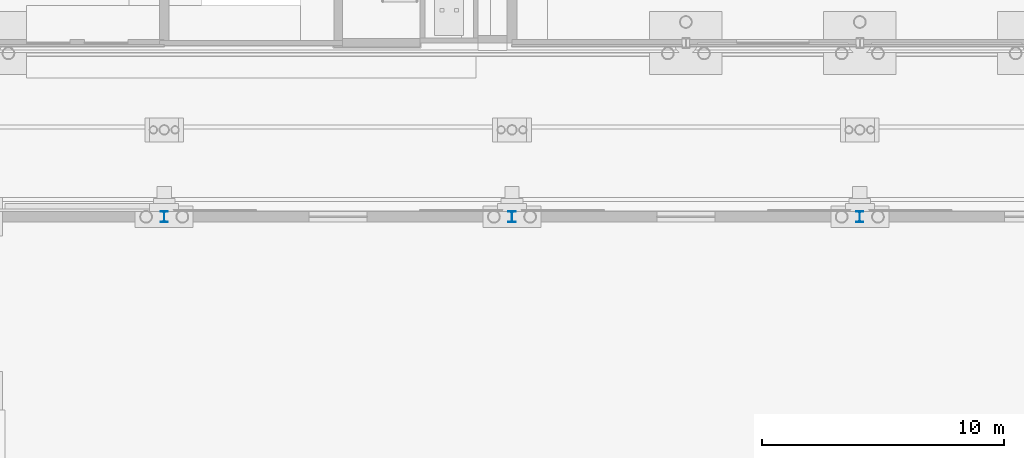
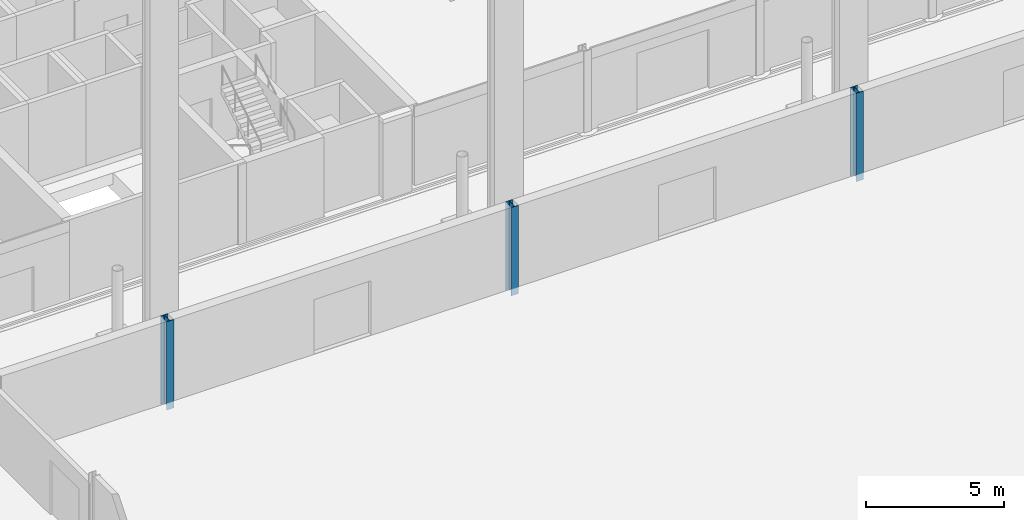
# One storey, part 50 of 148: 3 columns.
"""IFC4 building model written with IfcOpenShell, lengths in metres."""

from ifc_helpers import new_model, si_unit, direction, frame, origin, origin_2d, place, context, subcontext, project, spatial, i_section, extrude, material, material_profile, profile_set, type_object, element, save


model = new_model("IFC4")

# Units and contexts
model_context = context("Model", 3, precision=1e-05, world=origin(), true_north=direction((0.0, 1.0)))
body_context = subcontext(model_context, "Body", "Model", "MODEL_VIEW")
ifc_project = project(units=[si_unit("LENGTHUNIT", "METRE"), si_unit("AREAUNIT", "SQUARE_METRE"), si_unit("VOLUMEUNIT", "CUBIC_METRE"), si_unit("PLANEANGLEUNIT", "RADIAN"), si_unit("MASSUNIT", "GRAM", prefix="KILO")], contexts=[model_context])

# Site, building, storey
site_placement = place(None, origin())
site = spatial("IfcSite", under=ifc_project, at=site_placement, CompositionType="ELEMENT")
building_placement = place(site_placement, origin())
building = spatial("IfcBuilding", under=site, at=building_placement, Name="Kupolbacken Congress Centre", CompositionType="ELEMENT")
storey_placement = place(building_placement, origin())
storey = spatial("IfcBuildingStorey", under=building, at=storey_placement, Name="L00", CompositionType="ELEMENT", Elevation=0.0)

# Columns
ifc_material = material(Name="Steel S355", Category="steel")
ifc_material_profile = material_profile(ifc_material, i_section(OverallWidth=0.300048828125, OverallDepth=0.43994140625, WebThickness=0.011474609375, FlangeThickness=0.02099609375, FilletRadius=0.027099609375, at=origin_2d()), Name="HEA 450")
ifc_profile_set = profile_set([ifc_material_profile], Name="Steel S355")
column_type = type_object("IfcColumnType", Name="C07 column HEA 450", PredefinedType="COLUMN", material=ifc_profile_set)
for number, where, z_axis, x_axis, name in (
    (1, (93.60009765625, 115.199951171875, -0.300048828125), (0.0, 0.0, 1.0), (1.0, 0.0, 0.0), "S/col/C-H-T1N/L00"),
    (2, (108.0, 115.199951171875, -0.300048828125), (0.0, 0.0, 1.0), (1.0, 0.0, 0.0), "S/col/C-H-T2N/L00"),
    (3, (122.39990234375, 115.199951171875, -0.300048828125), (0.0, 0.0, 1.0), (1.0, 0.0, 0.0), "S/col/C-H-T3N/L00"),
):
    element("IfcColumn", number, at=place(storey_placement, frame(where, z_axis=z_axis, x_axis=x_axis)), inside=storey, type_object=column_type, Name=name, PredefinedType="COLUMN", context=body_context, shape_type="SweptSolid", body=[
        extrude(i_section(OverallWidth=0.300048828125, OverallDepth=0.43994140625, WebThickness=0.011474609375, FlangeThickness=0.02099609375, FilletRadius=0.027099609375, at=origin_2d()), origin(), (0.0, 0.0, 1.0), 3.900146484375),
    ])

save(model, "model.ifc")
